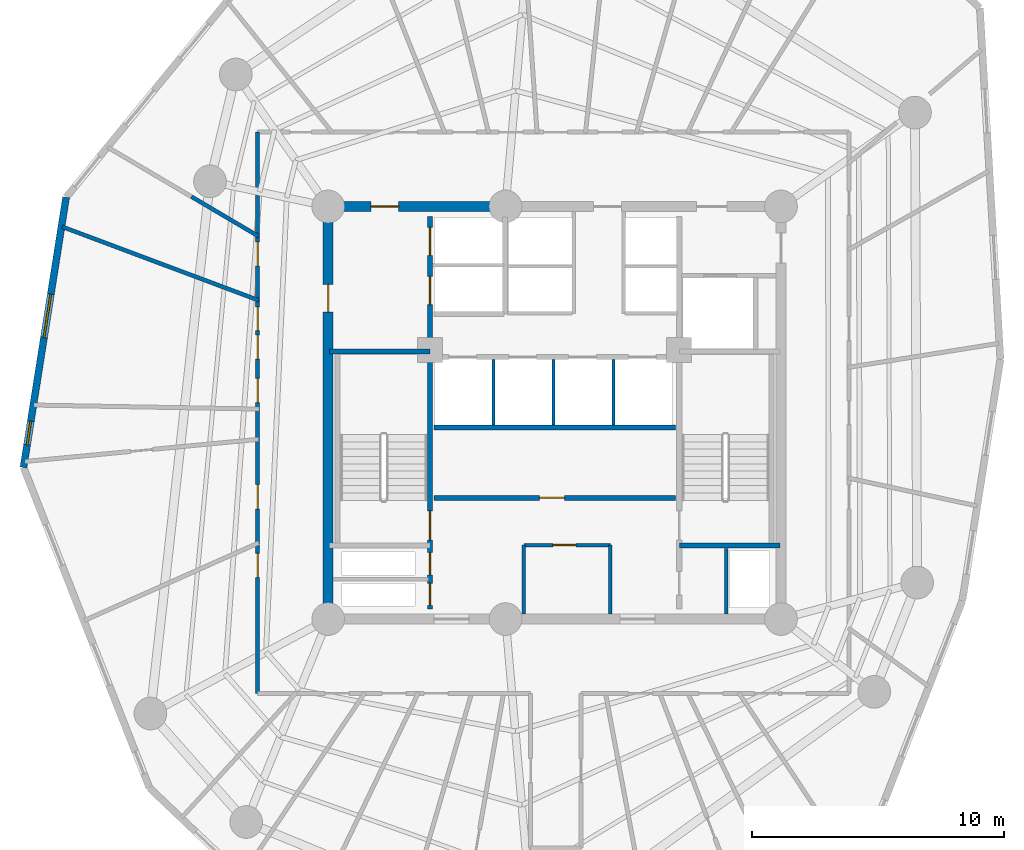
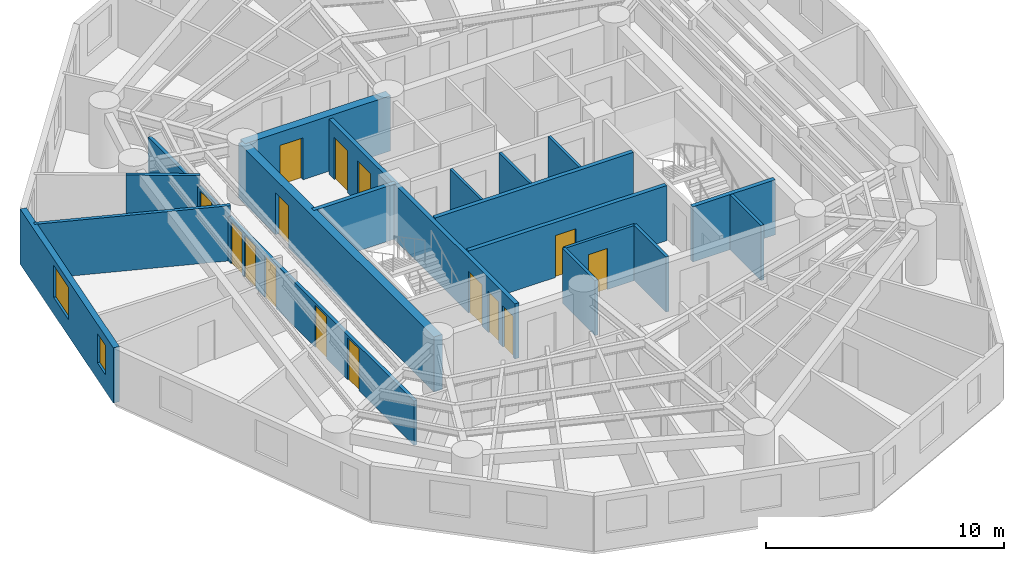
# One storey, part 4 of 8: 18 walls, 15 doors, 2 windows, 17 openings.
"""IFC4 building model written with IfcOpenShell, lengths in metres."""

from ifc_helpers import new_model, si_unit, direction, frame, frame_2d, origin, origin_with_axes, place, context, subcontext, project, spatial, rectangle, extrude, source, transform, mapped, material, layer, layer_set, type_object, element, fill, save


model = new_model("IFC4")

# Units and contexts
model_context = context("Model", 3, precision=1e-05, world=origin(), true_north=direction((0.0, 1.0)))
body_context = subcontext(model_context, "Body", "Model", "MODEL_VIEW")
ifc_project = project(units=[si_unit("LENGTHUNIT", "METRE"), si_unit("AREAUNIT", "SQUARE_METRE"), si_unit("VOLUMEUNIT", "CUBIC_METRE"), si_unit("PLANEANGLEUNIT", "RADIAN"), si_unit("MASSUNIT", "GRAM", prefix="KILO")], contexts=[model_context])

# Site, building, storey
site_placement = place(None, origin())
site = spatial("IfcSite", under=ifc_project, at=site_placement, CompositionType="ELEMENT")
building_placement = place(site_placement, origin())
building = spatial("IfcBuilding", under=site, at=building_placement, Name="Karkom Vertical University and Central Library", CompositionType="ELEMENT")
storey_placement = place(building_placement, frame((0.0, 0.0, 165.699951171875)))
storey = spatial("IfcBuildingStorey", under=building, at=storey_placement, Name="L47", CompositionType="ELEMENT", Elevation=165.699951171875)

# Wall, openings, windows
ifc_material_1 = material(Name="Brick-faced precast concrete C45/55", Category="masonry")
ifc_layer_1 = layer(ifc_material_1, 0.280029296875)
ifc_layer_set_1 = layer_set([ifc_layer_1], Name="Brick-faced precast concrete C45/55")
wall_type_1 = type_object("IfcWallType", Name="ENV-WL-BRK-280", PredefinedType="SOLIDWALL", material=ifc_layer_set_1)
wall_1_placement = place(storey_placement, frame((9.08447265625, 35.0654296875, 0.0), z_axis=(0.0, 0.0, 1.0), x_axis=(-0.1557677288, -0.987793710582, 0.0)))
wall_1 = element("IfcWall", 1, at=wall_1_placement, inside=storey, type_object=wall_type_1, Name="Level 47 Brick-Faced Precast Facade Wall 01", PredefinedType="SOLIDWALL", context=body_context, shape_type="SweptSolid", body=[
    extrude(rectangle(XDim=10.874267578125, YDim=0.280029296875, at=frame_2d((5.43701171875, 0.0))), origin(), (0.0, 0.0, 1.0), 2.824951171875),
])
opening_1_placement = place(wall_1_placement, frame((3.896484375, 0.0, 0.85009765625)))
opening_1 = element("IfcOpeningElement", 2, at=opening_1_placement, cuts=wall_1, Name="Opening WN-08", PredefinedType="OPENING", context=body_context, shape_type="SweptSolid", body=[
    extrude(rectangle(XDim=1.75, YDim=1.64990234375, at=frame_2d((0.875, 0.824951171875))), frame((0.0, 0.14990234375, 0.0), z_axis=(0.0, -1.0, 0.0), x_axis=(1.0, 0.0, 0.0)), (0.0, 0.0, 1.0), 0.300048828125),
])
opening_2_placement = place(wall_1_placement, frame((9.011474609375, 0.0, 0.85009765625)))
opening_2 = element("IfcOpeningElement", 3, at=opening_2_placement, cuts=wall_1, Name="Opening WN-12", PredefinedType="OPENING", context=body_context, shape_type="SweptSolid", body=[
    extrude(rectangle(XDim=0.949951171875, YDim=1.5, at=frame_2d((0.47509765625, 0.75))), frame((0.0, 0.14990234375, 0.0), z_axis=(0.0, -1.0, 0.0), x_axis=(1.0, 0.0, 0.0)), (0.0, 0.0, 1.0), 0.300048828125),
])
ifc_material_2 = material(Name="Aluminium thermal-break frame with solar-control IGU", Category="aluminium")
window_type_1 = type_object("IfcWindowType", Name="ENV-WIN-WN-12", PartitioningType="SINGLE_PANEL", PredefinedType="WINDOW", material=ifc_material_2)
shared_shape_1 = source(origin_with_axes(), body_context, "Body", "SweptSolid", [
    extrude(rectangle(XDim=0.949951171875, YDim=1.5, at=frame_2d((0.47509765625, 0.75))), frame((0.0, 0.030029296875, 0.0), z_axis=(0.0, -1.0, 0.0), x_axis=(1.0, 0.0, 0.0)), (0.0, 0.0, 1.0), 0.06005859375),
])
window_1_placement = place(opening_2_placement, origin())
window_1 = element("IfcWindow", 4, at=window_1_placement, inside=storey, type_object=window_type_1, Name="Level 47 Punched Window 1.2", OverallHeight=1.5, OverallWidth=0.949951171875, PartitioningType="SINGLE_PANEL", PredefinedType="WINDOW", context=body_context, shape_type="MappedRepresentation", body=[
    mapped(shared_shape_1, transform((0.0, 0.0, 0.0), scale=1.0)),
])
fill(opening_2, window_1)
window_type_2 = type_object("IfcWindowType", Name="ENV-WIN-WN-08", PartitioningType="SINGLE_PANEL", PredefinedType="WINDOW", material=ifc_material_2)
shared_shape_2 = source(origin_with_axes(), body_context, "Body", "SweptSolid", [
    extrude(rectangle(XDim=1.75, YDim=1.64990234375, at=frame_2d((0.875, 0.824951171875))), frame((0.0, 0.030029296875, 0.0), z_axis=(0.0, -1.0, 0.0), x_axis=(1.0, 0.0, 0.0)), (0.0, 0.0, 1.0), 0.06005859375),
])
window_2_placement = place(opening_1_placement, origin())
window_2 = element("IfcWindow", 5, at=window_2_placement, inside=storey, type_object=window_type_2, Name="Level 47 Punched Window 1.1", OverallHeight=1.64990234375, OverallWidth=1.75, PartitioningType="SINGLE_PANEL", PredefinedType="WINDOW", context=body_context, shape_type="MappedRepresentation", body=[
    mapped(shared_shape_2, transform((0.0, 0.0, 0.0), scale=1.0)),
])
fill(opening_1, window_2)

# Wall, openings, doors
ifc_material_3 = material(Name="Insulated metal-stud drywall 160mm", Category="gypsum")
ifc_layer_2 = layer(ifc_material_3, 0.159912109375)
ifc_layer_set_2 = layer_set([ifc_layer_2], Name="Insulated metal-stud drywall 160mm")
wall_type_2 = type_object("IfcWallType", Name="INT-WL-COR-160", PredefinedType="PARTITIONING", material=ifc_layer_set_2)
wall_2_placement = place(storey_placement, frame((16.699951171875, 15.35009765625, 0.0), z_axis=(0.0, 0.0, 1.0), x_axis=(0.0, 1.0, 0.0)))
wall_2 = element("IfcWall", 6, at=wall_2_placement, inside=storey, type_object=wall_type_2, Name="Level 47 Interior Partition Wall L47-CORW-CW-002", PredefinedType="PARTITIONING", context=body_context, shape_type="SweptSolid", body=[
    extrude(rectangle(XDim=22.2998046875, YDim=0.159912109375, at=frame_2d((11.14990234375, 0.0))), origin(), (0.0, 0.0, 1.0), 2.275146484375),
])
opening_3_placement = place(wall_2_placement, frame((11.56494140625, 0.0, 0.0)))
opening_3 = element("IfcOpeningElement", 7, at=opening_3_placement, cuts=wall_2, Name="Opening D-RM1", PredefinedType="OPENING", context=body_context, shape_type="SweptSolid", body=[
    extrude(rectangle(XDim=0.949951171875, YDim=2.14990234375, at=frame_2d((0.47509765625, 1.074951171875))), frame((0.0, 0.08984375, 0.0), z_axis=(0.0, -1.0, 0.0), x_axis=(1.0, 0.0, 0.0)), (0.0, 0.0, 1.0), 0.179931640625),
])
opening_4_placement = place(wall_2_placement, frame((7.330078125, 0.0, 0.0)))
opening_4 = element("IfcOpeningElement", 8, at=opening_4_placement, cuts=wall_2, Name="Opening FD-RM2", PredefinedType="OPENING", context=body_context, shape_type="SweptSolid", body=[
    extrude(rectangle(XDim=0.9599609375, YDim=2.14990234375, at=frame_2d((0.47998046875, 1.074951171875))), frame((0.0, 0.08984375, 0.0), z_axis=(0.0, -1.0, 0.0), x_axis=(1.0, 0.0, 0.0)), (0.0, 0.0, 1.0), 0.179931640625),
])
opening_5_placement = place(wall_2_placement, frame((4.610107421875, 0.0, 0.0)))
opening_5 = element("IfcOpeningElement", 9, at=opening_5_placement, cuts=wall_2, Name="Opening D-RM1", PredefinedType="OPENING", context=body_context, shape_type="SweptSolid", body=[
    extrude(rectangle(XDim=0.949951171875, YDim=2.14990234375, at=frame_2d((0.47509765625, 1.074951171875))), frame((0.0, 0.08984375, 0.0), z_axis=(0.0, -1.0, 0.0), x_axis=(1.0, 0.0, 0.0)), (0.0, 0.0, 1.0), 0.179931640625),
])
opening_6_placement = place(wall_2_placement, frame((16.990478515625, 0.0, 0.0)))
opening_6 = element("IfcOpeningElement", 10, at=opening_6_placement, cuts=wall_2, Name="Opening D-RM1", PredefinedType="OPENING", context=body_context, shape_type="SweptSolid", body=[
    extrude(rectangle(XDim=0.949951171875, YDim=2.14990234375, at=frame_2d((0.47509765625, 1.074951171875))), frame((0.0, 0.08984375, 0.0), z_axis=(0.0, -1.0, 0.0), x_axis=(1.0, 0.0, 0.0)), (0.0, 0.0, 1.0), 0.179931640625),
])
opening_7_placement = place(wall_2_placement, frame((14.409912109375, 0.0, 0.0)))
opening_7 = element("IfcOpeningElement", 11, at=opening_7_placement, cuts=wall_2, Name="Opening D-RM1", PredefinedType="OPENING", context=body_context, shape_type="SweptSolid", body=[
    extrude(rectangle(XDim=0.949951171875, YDim=2.14990234375, at=frame_2d((0.47509765625, 1.074951171875))), frame((0.0, 0.08984375, 0.0), z_axis=(0.0, -1.0, 0.0), x_axis=(1.0, 0.0, 0.0)), (0.0, 0.0, 1.0), 0.179931640625),
])
opening_8_placement = place(wall_2_placement, frame((13.280029296875, 0.0, 0.0)))
opening_8 = element("IfcOpeningElement", 12, at=opening_8_placement, cuts=wall_2, Name="Opening D-RM1", PredefinedType="OPENING", context=body_context, shape_type="SweptSolid", body=[
    extrude(rectangle(XDim=0.949951171875, YDim=2.14990234375, at=frame_2d((0.47509765625, 1.074951171875))), frame((0.0, 0.08984375, 0.0), z_axis=(0.0, -1.0, 0.0), x_axis=(1.0, 0.0, 0.0)), (0.0, 0.0, 1.0), 0.179931640625),
])
ifc_material_4 = material(Name="Fire-rated oak veneer door", Category="wood")
door_type_1 = type_object("IfcDoorType", Name="INT-DR-FRM2", OperationType="NOTDEFINED", PredefinedType="DOOR", material=ifc_material_4)
shared_shape_3 = source(origin_with_axes(), body_context, "Body", "SweptSolid", [
    extrude(rectangle(XDim=0.9599609375, YDim=2.14990234375, at=frame_2d((0.47998046875, 1.074951171875))), frame((0.0, 0.02490234375, 0.0), z_axis=(0.0, -1.0, 0.0), x_axis=(1.0, 0.0, 0.0)), (0.0, 0.0, 1.0), 0.050048828125),
])
door_1_placement = place(opening_4_placement, origin())
door_1 = element("IfcDoor", 13, at=door_1_placement, inside=storey, type_object=door_type_1, Name="Level 47 Room Entry Door 010", OperationType="SINGLE_SWING_LEFT", OverallHeight=2.14990234375, OverallWidth=0.9599609375, PredefinedType="DOOR", context=body_context, shape_type="MappedRepresentation", body=[
    mapped(shared_shape_3, transform((0.0, 0.0, 0.0), scale=1.0)),
])
fill(opening_4, door_1)
ifc_material_5 = material(Name="Solid-core oak veneer door", Category="wood")
door_type_2 = type_object("IfcDoorType", Name="INT-DR-RM1", OperationType="NOTDEFINED", PredefinedType="DOOR", material=ifc_material_5)
shared_shape_4 = source(origin_with_axes(), body_context, "Body", "SweptSolid", [
    extrude(rectangle(XDim=0.949951171875, YDim=2.14990234375, at=frame_2d((0.47509765625, 1.074951171875))), frame((0.0, 0.02490234375, 0.0), z_axis=(0.0, -1.0, 0.0), x_axis=(1.0, 0.0, 0.0)), (0.0, 0.0, 1.0), 0.050048828125),
])
door_2_placement = place(opening_3_placement, origin())
door_2 = element("IfcDoor", 14, at=door_2_placement, inside=storey, type_object=door_type_2, Name="Level 47 Room Entry Door 000", OperationType="SINGLE_SWING_RIGHT", OverallHeight=2.14990234375, OverallWidth=0.949951171875, PredefinedType="DOOR", context=body_context, shape_type="MappedRepresentation", body=[
    mapped(shared_shape_4, transform((0.0, 0.0, 0.0), scale=1.0)),
])
fill(opening_3, door_2)
door_3_placement = place(opening_5_placement, origin())
door_3 = element("IfcDoor", 15, at=door_3_placement, inside=storey, type_object=door_type_2, Name="Level 47 Room Entry Door 020", OperationType="SINGLE_SWING_RIGHT", OverallHeight=2.14990234375, OverallWidth=0.949951171875, PredefinedType="DOOR", context=body_context, shape_type="MappedRepresentation", body=[
    mapped(shared_shape_4, transform((0.0, 0.0, 0.0), scale=1.0)),
])
fill(opening_5, door_3)
door_4_placement = place(opening_6_placement, origin())
door_4 = element("IfcDoor", 16, at=door_4_placement, inside=storey, type_object=door_type_2, Name="Level 47 Room Entry Door 250", OperationType="SINGLE_SWING_RIGHT", OverallHeight=2.14990234375, OverallWidth=0.949951171875, PredefinedType="DOOR", context=body_context, shape_type="MappedRepresentation", body=[
    mapped(shared_shape_4, transform((0.0, 0.0, 0.0), scale=1.0)),
])
fill(opening_6, door_4)
door_5_placement = place(opening_7_placement, origin())
door_5 = element("IfcDoor", 17, at=door_5_placement, inside=storey, type_object=door_type_2, Name="Level 47 Room Entry Door 260", OperationType="SINGLE_SWING_LEFT", OverallHeight=2.14990234375, OverallWidth=0.949951171875, PredefinedType="DOOR", context=body_context, shape_type="MappedRepresentation", body=[
    mapped(shared_shape_4, transform((0.0, 0.0, 0.0), scale=1.0)),
])
fill(opening_7, door_5)
door_6_placement = place(opening_8_placement, origin())
door_6 = element("IfcDoor", 18, at=door_6_placement, inside=storey, type_object=door_type_2, Name="Level 47 Room Entry Door 270", OperationType="SINGLE_SWING_RIGHT", OverallHeight=2.14990234375, OverallWidth=0.949951171875, PredefinedType="DOOR", context=body_context, shape_type="MappedRepresentation", body=[
    mapped(shared_shape_4, transform((0.0, 0.0, 0.0), scale=1.0)),
])
fill(opening_8, door_6)

# Walls
wall_3_placement = place(storey_placement, frame((16.7421875, 30.966552734375, 0.0), z_axis=(0.0, 0.0, 1.0), x_axis=(-0.936508175179, 0.350645744053, 0.0)))
element("IfcWall", 19, at=wall_3_placement, inside=storey, type_object=wall_type_2, Name="Level 47 Interior Partition Wall L47-PW-032", PredefinedType="PARTITIONING", context=body_context, shape_type="SweptSolid", body=[
    extrude(rectangle(XDim=8.345947265625, YDim=0.159912109375, at=frame_2d((4.1728515625, 0.0))), origin(), (0.0, 0.0, 1.0), 2.824951171875),
])
wall_4_placement = place(storey_placement, frame((16.73876953125, 33.510986328125, 0.0), z_axis=(0.0, 0.0, 1.0), x_axis=(-0.861200683606, 0.508265071155, 0.0)))
element("IfcWall", 20, at=wall_4_placement, inside=storey, type_object=wall_type_2, Name="Level 47 Interior Partition Wall L47-PW-030", PredefinedType="PARTITIONING", context=body_context, shape_type="SweptSolid", body=[
    extrude(rectangle(XDim=3.10107421875, YDim=0.159912109375, at=frame_2d((1.550537109375, 0.0))), origin(), (0.0, 0.0, 1.0), 2.824951171875),
])
ifc_material_6 = material(Name="Moisture-resistant drywall 120mm", Category="gypsum")
ifc_layer_3 = layer(ifc_material_6, 0.1201171875)
ifc_layer_set_3 = layer_set([ifc_layer_3], Name="Moisture-resistant drywall 120mm")
wall_type_3 = type_object("IfcWallType", Name="INT-WL-INT-120H", PredefinedType="PARTITIONING", material=ifc_layer_set_3)
for number, where, z_axis, x_axis, name in (
    (21, (26.080078125, 26.02001953125, 0.0), (0.0, 0.0, 1.0), (0.0, 1.0, 0.0), "Level 47 Interior Partition Wall L47-CW-PM-DIV1"),
    (22, (28.4599609375, 26.02001953125, 0.0), (0.0, 0.0, 1.0), (0.0, 1.0, 0.0), "Level 47 Interior Partition Wall L47-CW-PM-DIV2"),
    (23, (30.840087890625, 26.02001953125, 0.0), (0.0, 0.0, 1.0), (0.0, 1.0, 0.0), "Level 47 Interior Partition Wall L47-CW-PM-DIV3"),
):
    element("IfcWall", number, at=place(storey_placement, frame(where, z_axis=z_axis, x_axis=x_axis)), inside=storey, type_object=wall_type_3, Name=name, PredefinedType="PARTITIONING", context=body_context, shape_type="SweptSolid", body=[
        extrude(rectangle(XDim=2.60009765625, YDim=0.1201171875, at=frame_2d((1.300048828125, 0.0))), origin(), (0.0, 0.0, 1.0), 2.824951171875),
    ])

# Wall, opening, door
ifc_material_7 = material(Name="Metal-stud gypsum partition 140mm", Category="gypsum")
ifc_layer_4 = layer(ifc_material_7, 0.139892578125)
ifc_layer_set_4 = layer_set([ifc_layer_4], Name="Metal-stud gypsum partition 140mm")
wall_type_4 = type_object("IfcWallType", Name="INT-WL-SUB-140", PredefinedType="PARTITIONING", material=ifc_layer_set_4)
wall_5_placement = place(storey_placement, frame((27.280029296875, 21.239990234375, 0.0), z_axis=(0.0, 0.0, 1.0), x_axis=(1.0, 0.0, 0.0)))
wall_5 = element("IfcWall", 24, at=wall_5_placement, inside=storey, type_object=wall_type_4, Name="Level 47 Interior Partition Wall L47-CW-KBAY-N", PredefinedType="PARTITIONING", context=body_context, shape_type="SweptSolid", body=[
    extrude(rectangle(XDim=3.43994140625, YDim=0.139892578125, at=frame_2d((1.719970703125, 0.0))), origin(), (0.0, 0.0, 1.0), 2.824951171875),
])
opening_9_placement = place(wall_5_placement, frame((1.14990234375, 0.0, 0.0)))
opening_9 = element("IfcOpeningElement", 25, at=opening_9_placement, cuts=wall_5, Name="Opening D-SVC1", PredefinedType="OPENING", context=body_context, shape_type="SweptSolid", body=[
    extrude(rectangle(XDim=0.919921875, YDim=2.10009765625, at=frame_2d((0.4599609375, 1.050048828125))), frame((0.0, 0.080078125, 0.0), z_axis=(0.0, -1.0, 0.0), x_axis=(1.0, 0.0, 0.0)), (0.0, 0.0, 1.0), 0.159912109375),
])
ifc_material_8 = material(Name="Painted timber service door", Category="wood")
door_type_3 = type_object("IfcDoorType", Name="INT-DR-SVC1", OperationType="NOTDEFINED", PredefinedType="DOOR", material=ifc_material_8)
shared_shape_5 = source(origin_with_axes(), body_context, "Body", "SweptSolid", [
    extrude(rectangle(XDim=0.919921875, YDim=2.10009765625, at=frame_2d((0.4599609375, 1.050048828125))), frame((0.0, 0.02490234375, 0.0), z_axis=(0.0, -1.0, 0.0), x_axis=(1.0, 0.0, 0.0)), (0.0, 0.0, 1.0), 0.050048828125),
])
door_7_placement = place(opening_9_placement, origin())
door_7 = element("IfcDoor", 26, at=door_7_placement, inside=storey, type_object=door_type_3, Name="Level 47 Comms Room Door", OperationType="SINGLE_SWING_LEFT", OverallHeight=2.10009765625, OverallWidth=0.919921875, PredefinedType="DOOR", context=body_context, shape_type="MappedRepresentation", body=[
    mapped(shared_shape_5, transform((0.0, 0.0, 0.0), scale=1.0)),
])
fill(opening_9, door_7)

# Walls
for number, where, z_axis, x_axis, name in (
    (27, (27.280029296875, 18.507080078125, 0.0), (0.0, 0.0, 1.0), (0.0, 1.0, 0.0), "Level 47 Interior Partition Wall L47-CW-KBAY-W"),
    (28, (30.719970703125, 18.507080078125, 0.0), (0.0, 0.0, 1.0), (0.0, 1.0, 0.0), "Level 47 Interior Partition Wall L47-CW-KBAY-E"),
):
    element("IfcWall", number, at=place(storey_placement, frame(where, z_axis=z_axis, x_axis=x_axis)), inside=storey, type_object=wall_type_4, Name=name, PredefinedType="PARTITIONING", context=body_context, shape_type="SweptSolid", body=[
        extrude(rectangle(XDim=2.73291015625, YDim=0.139892578125, at=frame_2d((1.366455078125, 0.0))), origin(), (0.0, 0.0, 1.0), 2.824951171875),
    ])
ifc_layer_5 = layer(ifc_material_7, 0.139892578125)
ifc_layer_set_5 = layer_set([ifc_layer_5], Name="Metal-stud gypsum partition 140mm")
wall_type_5 = type_object("IfcWallType", Name="INT-WL-SUB-140H", PredefinedType="PARTITIONING", material=ifc_layer_set_5)
wall_6_placement = place(storey_placement, frame((35.320068359375, 18.507080078125, 0.0), z_axis=(0.0, 0.0, 1.0), x_axis=(0.0, 1.0, 0.0)))
element("IfcWall", 29, at=wall_6_placement, inside=storey, type_object=wall_type_5, Name="Level 47 Interior Partition Wall L47-CW-RIS-E", PredefinedType="PARTITIONING", context=body_context, shape_type="SweptSolid", body=[
    extrude(rectangle(XDim=2.603759765625, YDim=0.139892578125, at=frame_2d((1.3017578125, 0.0))), origin(), (0.0, 0.0, 1.0), 2.824951171875),
])

# Wall, opening, door
ifc_material_9 = material(Name="Concrete C50/60", Category="concrete")
ifc_layer_6 = layer(ifc_material_9, 0.39990234375)
ifc_layer_set_6 = layer_set([ifc_layer_6], Name="Concrete C50/60")
wall_type_6 = type_object("IfcWallType", Name="STR-WL-CW-400", PredefinedType="SHEAR", material=ifc_layer_set_6)
wall_7_placement = place(storey_placement, frame((26.550048828125, 34.699951171875, 0.0), z_axis=(0.0, 0.0, 1.0), x_axis=(-1.0, 0.0, 0.0)))
wall_7 = element("IfcWall", 30, at=wall_7_placement, inside=storey, type_object=wall_type_6, Name="Level 47 Central Core Shear Wall NW2", PredefinedType="SHEAR", context=body_context, shape_type="SweptSolid", body=[
    extrude(rectangle(XDim=7.050048828125, YDim=0.39990234375, at=frame_2d((3.52490234375, 0.0))), origin(), (0.0, 0.0, 1.0), 2.824951171875),
])
opening_10_placement = place(wall_7_placement, frame((4.25, 0.0, 0.0)))
opening_10 = element("IfcOpeningElement", 31, at=opening_10_placement, cuts=wall_7, Name="Opening FD-FFL", PredefinedType="OPENING", context=body_context, shape_type="SweptSolid", body=[
    extrude(rectangle(XDim=1.10009765625, YDim=2.14990234375, at=frame_2d((0.550048828125, 1.074951171875))), frame((0.0, 0.2099609375, 0.0), z_axis=(0.0, -1.0, 0.0), x_axis=(1.0, 0.0, 0.0)), (0.0, 0.0, 1.0), 0.419921875),
])
ifc_material_10 = material(Name="Painted steel smoke-seal fire door", Category="steel")
door_type_4 = type_object("IfcDoorType", Name="INT-DR-FFL", OperationType="NOTDEFINED", PredefinedType="DOOR", material=ifc_material_10)
shared_shape_6 = source(origin_with_axes(), body_context, "Body", "SweptSolid", [
    extrude(rectangle(XDim=1.10009765625, YDim=2.14990234375, at=frame_2d((0.550048828125, 1.074951171875))), frame((0.0, 0.02490234375, 0.0), z_axis=(0.0, -1.0, 0.0), x_axis=(1.0, 0.0, 0.0)), (0.0, 0.0, 1.0), 0.050048828125),
])
door_8_placement = place(opening_10_placement, origin())
door_8 = element("IfcDoor", 32, at=door_8_placement, inside=storey, type_object=door_type_4, Name="Level 47 Firefighting Lobby Door", OperationType="SINGLE_SWING_RIGHT", OverallHeight=2.14990234375, OverallWidth=1.10009765625, PredefinedType="DOOR", context=body_context, shape_type="MappedRepresentation", body=[
    mapped(shared_shape_6, transform((0.0, 0.0, 0.0), scale=1.0)),
])
fill(opening_10, door_8)

wall_8_placement = place(storey_placement, frame((19.5, 34.699951171875, 0.0), z_axis=(0.0, 0.0, 1.0), x_axis=(0.0, -1.0, 0.0)))
wall_8 = element("IfcWall", 33, at=wall_8_placement, inside=storey, type_object=wall_type_6, Name="Level 47 Central Core Shear Wall WW", PredefinedType="SHEAR", context=body_context, shape_type="SweptSolid", body=[
    extrude(rectangle(XDim=16.39990234375, YDim=0.39990234375, at=frame_2d((8.199951171875, 0.0))), origin(), (0.0, 0.0, 1.0), 2.824951171875),
])
opening_11_placement = place(wall_8_placement, frame((3.10009765625, 0.0, 0.0)))
opening_11 = element("IfcOpeningElement", 34, at=opening_11_placement, cuts=wall_8, Name="Opening FD-FFL", PredefinedType="OPENING", context=body_context, shape_type="SweptSolid", body=[
    extrude(rectangle(XDim=1.10009765625, YDim=2.14990234375, at=frame_2d((0.550048828125, 1.074951171875))), frame((0.0, 0.2099609375, 0.0), z_axis=(0.0, -1.0, 0.0), x_axis=(1.0, 0.0, 0.0)), (0.0, 0.0, 1.0), 0.419921875),
])
door_9_placement = place(opening_11_placement, origin())
door_9 = element("IfcDoor", 35, at=door_9_placement, inside=storey, type_object=door_type_4, Name="Level 47 West Corridor Firefighting Lobby Door", OperationType="SINGLE_SWING_LEFT", OverallHeight=2.14990234375, OverallWidth=1.10009765625, PredefinedType="DOOR", context=body_context, shape_type="MappedRepresentation", body=[
    mapped(shared_shape_6, transform((0.0, 0.0, 0.0), scale=1.0)),
])
fill(opening_11, door_9)

# Wall, openings, doors
ifc_material_11 = material(Name="Concrete C45/55", Category="concrete")
ifc_layer_7 = layer(ifc_material_11, 0.199951171875)
ifc_layer_set_7 = layer_set([ifc_layer_7], Name="Concrete C45/55")
wall_type_7 = type_object("IfcWallType", Name="STR-WL-ST-200", PredefinedType="SHEAR", material=ifc_layer_set_7)
wall_9_placement = place(storey_placement, frame((23.544921875, 18.699951171875, 0.0), z_axis=(0.0, 0.0, 1.0), x_axis=(0.0, 1.0, 0.0)))
wall_9 = element("IfcWall", 36, at=wall_9_placement, inside=storey, type_object=wall_type_7, Name="Level 47 Core Shaft Wall L47-CW-ST1-E", PredefinedType="SHEAR", context=body_context, shape_type="SweptSolid", body=[
    extrude(rectangle(XDim=15.60009765625, YDim=0.199951171875, at=frame_2d((7.800048828125, 0.0))), origin(), (0.0, 0.0, 1.0), 2.824951171875),
])
opening_12_placement = place(wall_9_placement, frame((2.75, 0.0, 0.0)))
opening_12 = element("IfcOpeningElement", 37, at=opening_12_placement, cuts=wall_9, Name="Opening FD-ST1", PredefinedType="OPENING", context=body_context, shape_type="SweptSolid", body=[
    extrude(rectangle(XDim=1.14990234375, YDim=2.14990234375, at=frame_2d((0.574951171875, 1.074951171875))), frame((0.0, 0.10986328125, 0.0), z_axis=(0.0, -1.0, 0.0), x_axis=(1.0, 0.0, 0.0)), (0.0, 0.0, 1.0), 0.219970703125),
])
opening_13_placement = place(wall_9_placement, frame((0.139892578125, 0.0, 0.0)))
opening_13 = element("IfcOpeningElement", 38, at=opening_13_placement, cuts=wall_9, Name="Opening FD-RIS", PredefinedType="OPENING", context=body_context, shape_type="SweptSolid", body=[
    extrude(rectangle(XDim=0.8798828125, YDim=2.10009765625, at=frame_2d((0.43994140625, 1.050048828125))), frame((0.0, 0.10986328125, 0.0), z_axis=(0.0, -1.0, 0.0), x_axis=(1.0, 0.0, 0.0)), (0.0, 0.0, 1.0), 0.219970703125),
])
opening_14_placement = place(wall_9_placement, frame((1.360107421875, 0.0, 0.0)))
opening_14 = element("IfcOpeningElement", 39, at=opening_14_placement, cuts=wall_9, Name="Opening FD-RIS", PredefinedType="OPENING", context=body_context, shape_type="SweptSolid", body=[
    extrude(rectangle(XDim=0.8798828125, YDim=2.10009765625, at=frame_2d((0.43994140625, 1.050048828125))), frame((0.0, 0.10986328125, 0.0), z_axis=(0.0, -1.0, 0.0), x_axis=(1.0, 0.0, 0.0)), (0.0, 0.0, 1.0), 0.219970703125),
])
opening_15_placement = place(wall_9_placement, frame((12.10009765625, 0.0, 0.0)))
opening_15 = element("IfcOpeningElement", 40, at=opening_15_placement, cuts=wall_9, Name="Opening LD-FFL", PredefinedType="OPENING", context=body_context, shape_type="SweptSolid", body=[
    extrude(rectangle(XDim=1.1201171875, YDim=2.14990234375, at=frame_2d((0.56005859375, 1.074951171875))), frame((0.0, 0.10986328125, 0.0), z_axis=(0.0, -1.0, 0.0), x_axis=(1.0, 0.0, 0.0)), (0.0, 0.0, 1.0), 0.219970703125),
])
opening_16_placement = place(wall_9_placement, frame((14.050048828125, 0.0, 0.0)))
opening_16 = element("IfcOpeningElement", 41, at=opening_16_placement, cuts=wall_9, Name="Opening LD-FFL", PredefinedType="OPENING", context=body_context, shape_type="SweptSolid", body=[
    extrude(rectangle(XDim=1.1201171875, YDim=2.14990234375, at=frame_2d((0.56005859375, 1.074951171875))), frame((0.0, 0.10986328125, 0.0), z_axis=(0.0, -1.0, 0.0), x_axis=(1.0, 0.0, 0.0)), (0.0, 0.0, 1.0), 0.219970703125),
])
ifc_material_12 = material(Name="Painted steel acoustic fire door", Category="steel")
door_type_5 = type_object("IfcDoorType", Name="INT-DR-ST1", OperationType="NOTDEFINED", PredefinedType="DOOR", material=ifc_material_12)
shared_shape_7 = source(origin_with_axes(), body_context, "Body", "SweptSolid", [
    extrude(rectangle(XDim=1.14990234375, YDim=2.14990234375, at=frame_2d((0.574951171875, 1.074951171875))), frame((0.0, 0.02490234375, 0.0), z_axis=(0.0, -1.0, 0.0), x_axis=(1.0, 0.0, 0.0)), (0.0, 0.0, 1.0), 0.050048828125),
])
door_10_placement = place(opening_12_placement, origin())
door_10 = element("IfcDoor", 42, at=door_10_placement, inside=storey, type_object=door_type_5, Name="Level 47 Stair ST-1 Fire Door", OperationType="SINGLE_SWING_RIGHT", OverallHeight=2.14990234375, OverallWidth=1.14990234375, PredefinedType="DOOR", context=body_context, shape_type="MappedRepresentation", body=[
    mapped(shared_shape_7, transform((0.0, 0.0, 0.0), scale=1.0)),
])
fill(opening_12, door_10)
ifc_material_13 = material(Name="Painted steel riser access door", Category="steel")
door_type_6 = type_object("IfcDoorType", Name="INT-DR-RIS", OperationType="NOTDEFINED", PredefinedType="DOOR", material=ifc_material_13)
shared_shape_8 = source(origin_with_axes(), body_context, "Body", "SweptSolid", [
    extrude(rectangle(XDim=0.8798828125, YDim=2.10009765625, at=frame_2d((0.43994140625, 1.050048828125))), frame((0.0, 0.02490234375, 0.0), z_axis=(0.0, -1.0, 0.0), x_axis=(1.0, 0.0, 0.0)), (0.0, 0.0, 1.0), 0.050048828125),
])
door_11_placement = place(opening_13_placement, origin())
door_11 = element("IfcDoor", 43, at=door_11_placement, inside=storey, type_object=door_type_6, Name="Level 47 Electrical Riser Access Door", OperationType="SINGLE_SWING_RIGHT", OverallHeight=2.10009765625, OverallWidth=0.8798828125, PredefinedType="DOOR", context=body_context, shape_type="MappedRepresentation", body=[
    mapped(shared_shape_8, transform((0.0, 0.0, 0.0), scale=1.0)),
])
fill(opening_13, door_11)
door_12_placement = place(opening_14_placement, origin())
door_12 = element("IfcDoor", 44, at=door_12_placement, inside=storey, type_object=door_type_6, Name="Level 47 Telecom Riser Access Door", OperationType="SINGLE_SWING_LEFT", OverallHeight=2.10009765625, OverallWidth=0.8798828125, PredefinedType="DOOR", context=body_context, shape_type="MappedRepresentation", body=[
    mapped(shared_shape_8, transform((0.0, 0.0, 0.0), scale=1.0)),
])
fill(opening_14, door_12)
ifc_material_14 = material(Name="Fire-rated stainless-steel landing door", Category="steel")
door_type_7 = type_object("IfcDoorType", Name="INT-DR-LD-FFL", OperationType="SLIDING_TO_LEFT", PredefinedType="DOOR", material=ifc_material_14)
shared_shape_9 = source(origin_with_axes(), body_context, "Body", "SweptSolid", [
    extrude(rectangle(XDim=1.1201171875, YDim=2.14990234375, at=frame_2d((0.56005859375, 1.074951171875))), frame((0.0, 0.02490234375, 0.0), z_axis=(0.0, -1.0, 0.0), x_axis=(1.0, 0.0, 0.0)), (0.0, 0.0, 1.0), 0.050048828125),
])
door_13_placement = place(opening_15_placement, origin())
door_13 = element("IfcDoor", 45, at=door_13_placement, inside=storey, type_object=door_type_7, Name="Level 47 Firefighting Lift FFL-1 Landing Door", OperationType="SLIDING_TO_LEFT", OverallHeight=2.14990234375, OverallWidth=1.1201171875, PredefinedType="DOOR", context=body_context, shape_type="MappedRepresentation", body=[
    mapped(shared_shape_9, transform((0.0, 0.0, 0.0), scale=1.0)),
])
fill(opening_15, door_13)
door_14_placement = place(opening_16_placement, origin())
door_14 = element("IfcDoor", 46, at=door_14_placement, inside=storey, type_object=door_type_7, Name="Level 47 Firefighting Lift FFL-2 Landing Door", OperationType="SLIDING_TO_RIGHT", OverallHeight=2.14990234375, OverallWidth=1.1201171875, PredefinedType="DOOR", context=body_context, shape_type="MappedRepresentation", body=[
    mapped(shared_shape_9, transform((0.0, 0.0, 0.0), scale=1.0)),
])
fill(opening_16, door_14)

# Wall, opening, door
wall_10_placement = place(storey_placement, frame((23.699951171875, 23.1201171875, 0.0), z_axis=(0.0, 0.0, 1.0), x_axis=(1.0, 0.0, 0.0)))
wall_10 = element("IfcWall", 47, at=wall_10_placement, inside=storey, type_object=wall_type_7, Name="Level 47 Core Shaft Wall L47-CW-B1-S", PredefinedType="SHEAR", context=body_context, shape_type="SweptSolid", body=[
    extrude(rectangle(XDim=9.60009765625, YDim=0.199951171875, at=frame_2d((4.800048828125, 0.0))), origin(), (0.0, 0.0, 1.0), 2.824951171875),
])
opening_17_placement = place(wall_10_placement, frame((4.199951171875, 0.0, 0.0)))
opening_17 = element("IfcOpeningElement", 48, at=opening_17_placement, cuts=wall_10, Name="Opening D-STR1", PredefinedType="OPENING", context=body_context, shape_type="SweptSolid", body=[
    extrude(rectangle(XDim=1.0, YDim=2.14990234375, at=frame_2d((0.5, 1.074951171875))), frame((0.0, 0.10986328125, 0.0), z_axis=(0.0, -1.0, 0.0), x_axis=(1.0, 0.0, 0.0)), (0.0, 0.0, 1.0), 0.219970703125),
])
ifc_material_15 = material(Name="Solid-core hardwood fire door", Category="wood")
door_type_8 = type_object("IfcDoorType", Name="INT-DR-STR1", OperationType="NOTDEFINED", PredefinedType="DOOR", material=ifc_material_15)
shared_shape_10 = source(origin_with_axes(), body_context, "Body", "SweptSolid", [
    extrude(rectangle(XDim=1.0, YDim=2.14990234375, at=frame_2d((0.5, 1.074951171875))), frame((0.0, 0.02490234375, 0.0), z_axis=(0.0, -1.0, 0.0), x_axis=(1.0, 0.0, 0.0)), (0.0, 0.0, 1.0), 0.050048828125),
])
door_15_placement = place(opening_17_placement, origin())
door_15 = element("IfcDoor", 49, at=door_15_placement, inside=storey, type_object=door_type_8, Name="Level 47 Campus Digital Archive Store Door", OperationType="SINGLE_SWING_RIGHT", OverallHeight=2.14990234375, OverallWidth=1.0, PredefinedType="DOOR", context=body_context, shape_type="MappedRepresentation", body=[
    mapped(shared_shape_10, transform((0.0, 0.0, 0.0), scale=1.0)),
])
fill(opening_17, door_15)

# Walls
wall_11_placement = place(storey_placement, frame((23.699951171875, 25.919921875, 0.0), z_axis=(0.0, 0.0, 1.0), x_axis=(1.0, 0.0, 0.0)))
element("IfcWall", 50, at=wall_11_placement, inside=storey, type_object=wall_type_7, Name="Level 47 Core Shaft Wall L47-CW-B1-N", PredefinedType="SHEAR", context=body_context, shape_type="SweptSolid", body=[
    extrude(rectangle(XDim=9.60009765625, YDim=0.199951171875, at=frame_2d((4.800048828125, 0.0))), origin(), (0.0, 0.0, 1.0), 2.824951171875),
])
for number, where, z_axis, x_axis, name in (
    (51, (33.455078125, 21.215087890625, 0.0), (0.0, 0.0, 1.0), (1.0, 0.0, 0.0), "Level 47 Core Shaft Wall L47-CW-ST2-S"),
    (52, (19.550048828125, 28.925048828125, 0.0), (0.0, 0.0, 1.0), (1.0, 0.0, 0.0), "Level 47 Core Shaft Wall L47-CW-ST1-N"),
):
    element("IfcWall", number, at=place(storey_placement, frame(where, z_axis=z_axis, x_axis=x_axis)), inside=storey, type_object=wall_type_7, Name=name, PredefinedType="SHEAR", context=body_context, shape_type="SweptSolid", body=[
        extrude(rectangle(XDim=3.994873046875, YDim=0.199951171875, at=frame_2d((1.99755859375, 0.0))), origin(), (0.0, 0.0, 1.0), 2.824951171875),
    ])

save(model, "model.ifc")
